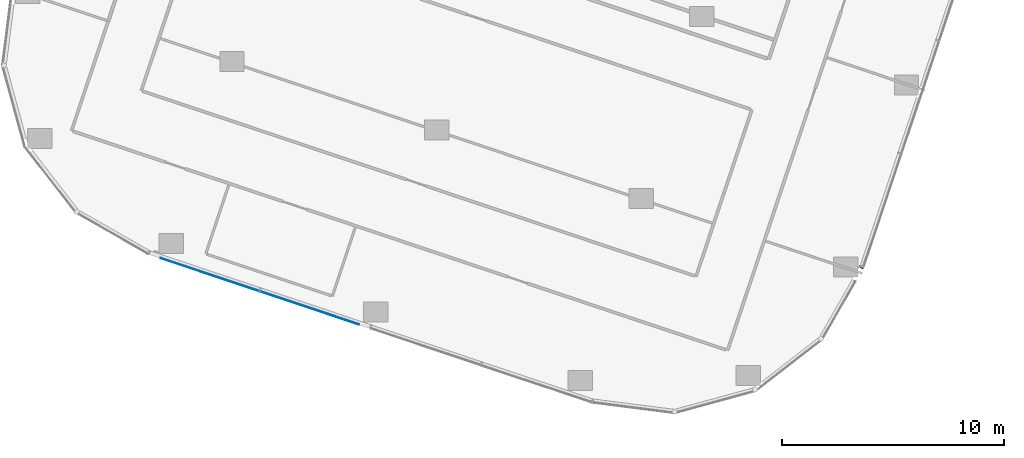
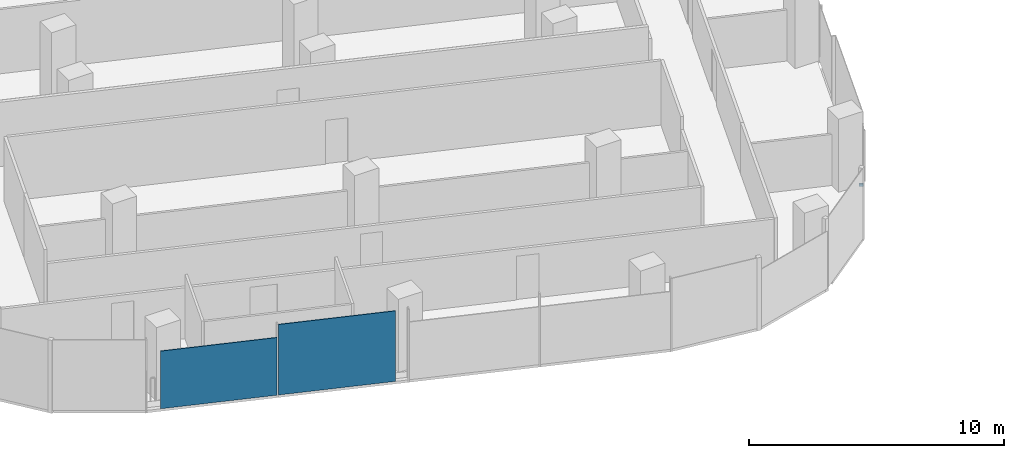
# One storey, part 14 of 25: 2 plates, 1 member, 2 elements without a shape of their own.
"""IFC4 building model written with IfcOpenShell, lengths in metres."""

from ifc_helpers import new_model, si_unit, direction, frame, origin, origin_2d, place, context, subcontext, project, spatial, rectangle, extrude, material, layer, layer_set, material_profile, profile_set, type_object, element, aggregate, save


model = new_model("IFC4")

# Units and contexts
model_context = context("Model", 3, precision=1e-05, world=origin(), true_north=direction((0.0, 1.0)))
body_context = subcontext(model_context, "Body", "Model", "MODEL_VIEW")
ifc_project = project(units=[si_unit("LENGTHUNIT", "METRE"), si_unit("AREAUNIT", "SQUARE_METRE"), si_unit("VOLUMEUNIT", "CUBIC_METRE"), si_unit("PLANEANGLEUNIT", "RADIAN"), si_unit("MASSUNIT", "GRAM", prefix="KILO")], contexts=[model_context])

# Site, building, storey
site_placement = place(None, origin())
site = spatial("IfcSite", under=ifc_project, at=site_placement, CompositionType="ELEMENT")
building_placement = place(site_placement, origin())
building = spatial("IfcBuilding", under=site, at=building_placement, Name="Orlundy Tower", CompositionType="ELEMENT")
storey_placement = place(building_placement, frame((0.0, 0.0, 159.60009765625)))
storey = spatial("IfcBuildingStorey", under=building, at=storey_placement, Name="L41", CompositionType="ELEMENT", Elevation=159.60009765625)

# Curtain wall, member
ifc_material_1 = material(Name="Aluminium bronze anodised", Category="aluminium")
curtain_wall_type = type_object("IfcCurtainWallType", Name="CW1 wall", PredefinedType="NOTDEFINED", material=ifc_material_1)
curtain_wall_1_placement = place(storey_placement, origin())
curtain_wall_1 = element("IfcCurtainWall", 1, at=curtain_wall_1_placement, inside=storey, type_object=curtain_wall_type, Name="CW1 run 019", PredefinedType="NOTDEFINED")
ifc_material_2 = material(Name="Aluminium bronze anodised", Category="aluminium")
ifc_material_profile = material_profile(ifc_material_2, rectangle(XDim=0.179931640625, YDim=0.1201171875, at=origin_2d()), Name="CW1 transom 180x120")
ifc_profile_set = profile_set([ifc_material_profile], Name="Aluminium bronze anodised")
member_type = type_object("IfcMemberType", Name="CW1 transom 180x120", PredefinedType="USERDEFINED", material=ifc_profile_set)
member_placement = place(storey_placement, frame((3.171142578125, -53.82080078125, -0.340087890625), z_axis=(-0.496620683831, -0.867967681651, 0.0), x_axis=(0.867967681651, -0.496620683831, 0.0)))
member = element("IfcMember", 2, at=member_placement, type_object=member_type, Name="CW1 transom", ObjectType="TRANSOM", PredefinedType="USERDEFINED", context=body_context, shape_type="SweptSolid", body=[
    extrude(rectangle(XDim=0.179931640625, YDim=0.1201171875, at=origin_2d()), origin(), (0.0, 0.0, 1.0), 0.0546875),
])
aggregate(curtain_wall_1, [member])

# Curtain wall, plates
curtain_wall_2_placement = place(storey_placement, origin())
curtain_wall_2 = element("IfcCurtainWall", 3, at=curtain_wall_2_placement, inside=storey, type_object=curtain_wall_type, Name="CW1 run 023", PredefinedType="NOTDEFINED")
ifc_material_3 = material(Name="Tinted glass", Category="glass")
ifc_layer = layer(ifc_material_3, 0.031982421875)
ifc_layer_set = layer_set([ifc_layer], Name="CW1 glass panel 32")
plate_type = type_object("IfcPlateType", Name="CW1 glass panel 32", PredefinedType="CURTAIN_PANEL", material=ifc_layer_set)
plate_1_placement = place(storey_placement, frame((-21.662841796875, -55.667236328125, -0.280029296875), z_axis=(0.0, 0.0, 1.0), x_axis=(-0.948330329219, 0.317284709186, 0.0)))
plate_1 = element("IfcPlate", 4, at=plate_1_placement, type_object=plate_type, Name="CW1 panel", PredefinedType="CURTAIN_PANEL", context=body_context, shape_type="SweptSolid", body=[
    extrude(rectangle(XDim=4.68994140625, YDim=0.031982421875, at=origin_2d()), origin(), (0.0, 0.0, 1.0), 3.3798828125),
])
plate_2_placement = place(storey_placement, frame((-26.144775390625, -54.167724609375, -0.2802734375), z_axis=(0.0, 0.0, 1.0), x_axis=(-0.948330329219, 0.317284709186, 0.0)))
plate_2 = element("IfcPlate", 5, at=plate_2_placement, type_object=plate_type, Name="CW1 panel", PredefinedType="CURTAIN_PANEL", context=body_context, shape_type="SweptSolid", body=[
    extrude(rectangle(XDim=4.66259765625, YDim=0.031982421875, at=origin_2d()), origin(), (0.0, 0.0, 1.0), 2.763916015625),
])
aggregate(curtain_wall_2, [plate_1, plate_2])

save(model, "model.ifc")
